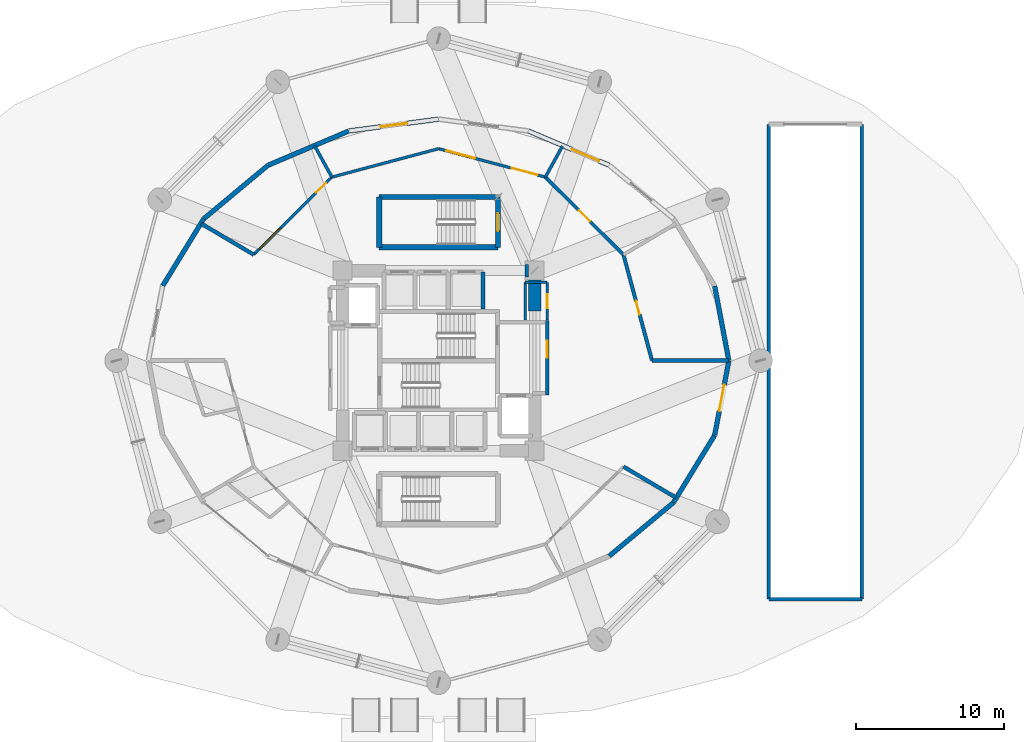
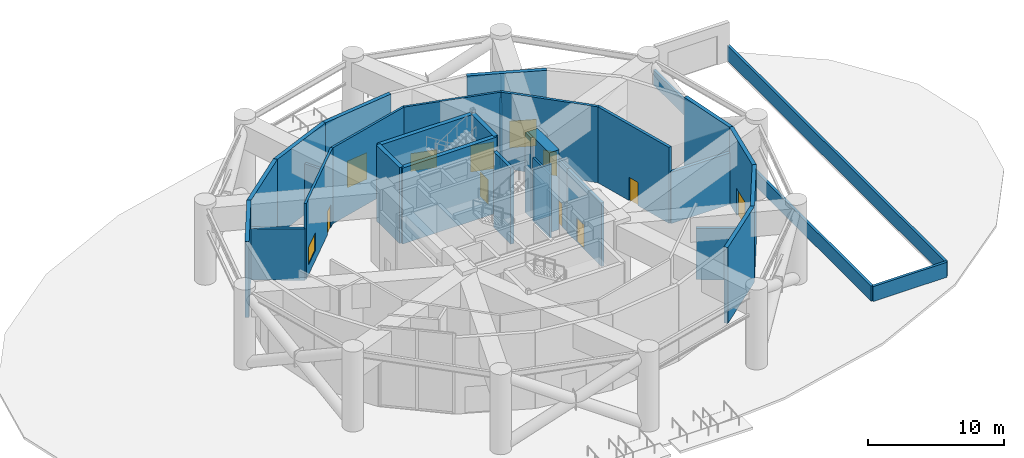
# One storey, part 11 of 16: 33 walls, 10 doors, 2 windows, 12 openings.
"""IFC4 building model written with IfcOpenShell, lengths in metres."""

from ifc_helpers import new_model, si_unit, direction, frame, frame_2d, origin, place, context, subcontext, project, spatial, rectangle, extrude, material, layer, layer_set, type_object, element, fill, save


model = new_model("IFC4")

# Units and contexts
model_context = context("Model", 3, precision=1e-05, world=origin(), true_north=direction((0.0, 1.0)))
body_context = subcontext(model_context, "Body", "Model", "MODEL_VIEW")
ifc_project = project(units=[si_unit("LENGTHUNIT", "METRE"), si_unit("AREAUNIT", "SQUARE_METRE"), si_unit("VOLUMEUNIT", "CUBIC_METRE"), si_unit("PLANEANGLEUNIT", "RADIAN"), si_unit("MASSUNIT", "GRAM", prefix="KILO")], contexts=[model_context])

# Site, building, storey
site_placement = place(None, origin())
site = spatial("IfcSite", under=ifc_project, at=site_placement, CompositionType="ELEMENT")
building_placement = place(site_placement, origin())
building = spatial("IfcBuilding", under=site, at=building_placement, Name="Solvirekh Grand Hotel", CompositionType="ELEMENT")
storey_placement = place(building_placement, origin())
storey = spatial("IfcBuildingStorey", under=building, at=storey_placement, Name="L00", CompositionType="ELEMENT", Elevation=0.0)

# Wall, opening, door
ifc_material_1 = material(Name="Concrete C50/60", Category="concrete")
ifc_layer_1 = layer(ifc_material_1, 0.35009765625)
ifc_layer_set_1 = layer_set([ifc_layer_1], Name="Concrete C50/60")
wall_type_1 = type_object("IfcWallType", Name="CoreDivWall_RC350", PredefinedType="SOLIDWALL", material=ifc_layer_set_1)
wall_1_placement = place(storey_placement, frame((4.02490234375, 7.675048828125, 0.0), z_axis=(0.0, 0.0, 1.0), x_axis=(0.0, 1.0, 0.0)))
wall_1 = element("IfcWall", 1, at=wall_1_placement, inside=storey, type_object=wall_type_1, Name="L00 feature stair ST-4 east landing wall", PredefinedType="SOLIDWALL", context=body_context, shape_type="SweptSolid", body=[
    extrude(rectangle(XDim=3.39990234375, YDim=0.35009765625, at=frame_2d((1.699951171875, 0.0))), origin(), (0.0, 0.0, 1.0), 6.840087890625),
])
opening_1_placement = place(wall_1_placement, frame((1.10009765625, 0.0, 0.0)))
opening_1 = element("IfcOpeningElement", 2, at=opening_1_placement, cuts=wall_1, Name="Opening D05", PredefinedType="OPENING", context=body_context, shape_type="SweptSolid", body=[
    extrude(rectangle(XDim=1.199951171875, YDim=2.199951171875, at=frame_2d((0.60009765625, 1.10009765625))), frame((0.0, 0.18505859375, 0.0), z_axis=(0.0, -1.0, 0.0), x_axis=(1.0, 0.0, 0.0)), (0.0, 0.0, 1.0), 0.3701171875),
])
ifc_material_2 = material(Name="Fire-Rated Steel Door Assembly", Category="steel")
door_type_1 = type_object("IfcDoorType", Name="Door_StairCore_1200X2200", OperationType="NOTDEFINED", PredefinedType="DOOR", material=ifc_material_2)
door_1_placement = place(opening_1_placement, origin())
door_1 = element("IfcDoor", 3, at=door_1_placement, inside=storey, type_object=door_type_1, Name="L00 feature stair ST-4 fire door", OperationType="SINGLE_SWING_RIGHT", OverallHeight=2.199951171875, OverallWidth=1.199951171875, PredefinedType="DOOR", context=body_context, shape_type="SweptSolid", body=[
    extrude(rectangle(XDim=1.199951171875, YDim=2.199951171875, at=frame_2d((0.60009765625, 1.10009765625))), frame((0.0, 0.02490234375, 0.0), z_axis=(0.0, -1.0, 0.0), x_axis=(1.0, 0.0, 0.0)), (0.0, 0.0, 1.0), 0.050048828125),
])
fill(opening_1, door_1)

# Walls
wall_2_placement = place(storey_placement, frame((4.02490234375, 11.074951171875, 0.0), z_axis=(0.0, 0.0, 1.0), x_axis=(-1.0, 0.0, 0.0)))
element("IfcWall", 4, at=wall_2_placement, inside=storey, type_object=wall_type_1, Name="L00 feature stair ST-4 N enclosure wall", PredefinedType="SOLIDWALL", context=body_context, shape_type="SweptSolid", body=[
    extrude(rectangle(XDim=8.0498046875, YDim=0.35009765625, at=frame_2d((4.02490234375, 0.0))), origin(), (0.0, 0.0, 1.0), 6.840087890625),
])
wall_3_placement = place(storey_placement, frame((-4.02490234375, 11.074951171875, 0.0), z_axis=(0.0, 0.0, 1.0), x_axis=(0.0, -1.0, 0.0)))
element("IfcWall", 5, at=wall_3_placement, inside=storey, type_object=wall_type_1, Name="L00 feature stair ST-4 W enclosure wall", PredefinedType="SOLIDWALL", context=body_context, shape_type="SweptSolid", body=[
    extrude(rectangle(XDim=3.39990234375, YDim=0.35009765625, at=frame_2d((1.699951171875, 0.0))), origin(), (0.0, 0.0, 1.0), 6.840087890625),
])
wall_4_placement = place(storey_placement, frame((-4.02490234375, 7.675048828125, 0.0), z_axis=(0.0, 0.0, 1.0), x_axis=(1.0, 0.0, 0.0)))
element("IfcWall", 6, at=wall_4_placement, inside=storey, type_object=wall_type_1, Name="L00 feature stair ST-4 S enclosure wall", PredefinedType="SOLIDWALL", context=body_context, shape_type="SweptSolid", body=[
    extrude(rectangle(XDim=8.0498046875, YDim=0.35009765625, at=frame_2d((4.02490234375, 0.0))), origin(), (0.0, 0.0, 1.0), 6.840087890625),
])
ifc_material_3 = material(Name="Concrete C40/50", Category="concrete")
ifc_layer_2 = layer(ifc_material_3, 0.280029296875)
ifc_layer_set_2 = layer_set([ifc_layer_2], Name="Concrete C40/50")
wall_type_2 = type_object("IfcWallType", Name="CoreShaftWall_RC280", PredefinedType="SOLIDWALL", material=ifc_layer_set_2)
wall_5_placement = place(storey_placement, frame((3.0, 3.5, 0.0), z_axis=(0.0, 0.0, 1.0), x_axis=(0.0, 1.0, 0.0)))
element("IfcWall", 7, at=wall_5_placement, inside=storey, type_object=wall_type_2, Name="L00 EX-1 hoistway E wall", PredefinedType="SOLIDWALL", context=body_context, shape_type="SweptSolid", body=[
    extrude(rectangle(XDim=2.5, YDim=0.280029296875, at=frame_2d((1.25, 0.0))), origin(), (0.0, 0.0, 1.0), 6.840087890625),
])
ifc_material_4 = material(Name="Concrete C60/75", Category="concrete")
ifc_layer_3 = layer(ifc_material_4, 0.85009765625)
ifc_layer_set_3 = layer_set([ifc_layer_3], Name="Concrete C60/75")
wall_type_3 = type_object("IfcWallType", Name="CoreWall_RC850", PredefinedType="SHEAR", material=ifc_layer_set_3)
wall_6_placement = place(storey_placement, frame((5.85009765625, 6.10009765625, 0.0), z_axis=(0.0, 0.0, 1.0), x_axis=(1.0, 0.0, 0.0)))
element("IfcWall", 8, at=wall_6_placement, inside=storey, type_object=wall_type_3, Name="L00 core corner shear wall NE-N", PredefinedType="SHEAR", context=body_context, shape_type="SweptSolid", body=[
    extrude(rectangle(XDim=0.224853515625, YDim=0.85009765625, at=frame_2d((0.1123046875, 0.0))), origin(), (0.0, 0.0, 1.0), 7.199951171875),
])
wall_7_placement = place(storey_placement, frame((6.5, 3.35009765625, 0.0), z_axis=(0.0, 0.0, 1.0), x_axis=(0.0, 1.0, 0.0)))
element("IfcWall", 9, at=wall_7_placement, inside=storey, type_object=wall_type_3, Name="L00 core corner shear wall EN-E", PredefinedType="SHEAR", context=body_context, shape_type="SweptSolid", body=[
    extrude(rectangle(XDim=3.1748046875, YDim=0.85009765625, at=frame_2d((1.58740234375, 0.0))), origin(), (0.0, 0.0, 1.0), 7.199951171875),
])
ifc_material_5 = material(Name="Precast concrete C45/55", Category="concrete")
ifc_layer_4 = layer(ifc_material_5, 0.320068359375)
ifc_layer_set_4 = layer_set([ifc_layer_4], Name="Precast concrete C45/55")
wall_type_4 = type_object("IfcWallType", Name="ExtLobbyWall_RC320", PredefinedType="SOLIDWALL", material=ifc_layer_set_4)
wall_8_placement = place(storey_placement, frame((18.68798828125, 5.052001953125, 0.0), z_axis=(0.0, 0.0, 1.0), x_axis=(0.187042300785, -0.982351860444, 0.0)))
element("IfcWall", 10, at=wall_8_placement, inside=storey, type_object=wall_type_4, Name="L00 exterior structural wall chord 1", PredefinedType="SOLIDWALL", context=body_context, shape_type="SweptSolid", body=[
    extrude(rectangle(XDim=5.142822265625, YDim=0.320068359375, at=frame_2d((2.5712890625, 0.0))), origin(), (0.0, 0.0, 1.0), 6.840087890625),
])

# Wall, opening, door
wall_9_placement = place(storey_placement, frame((6.072021484375, 15.550048828125, 0.0), z_axis=(0.0, 0.0, 1.0), x_axis=(0.920643013012, -0.390405484839, 0.0)))
wall_9 = element("IfcWall", 11, at=wall_9_placement, inside=storey, type_object=wall_type_4, Name="L00 exterior structural wall chord 4", PredefinedType="SOLIDWALL", context=body_context, shape_type="SweptSolid", body=[
    extrude(rectangle(XDim=5.9501953125, YDim=0.320068359375, at=frame_2d((2.97509765625, 0.0))), origin(), (0.0, 0.0, 1.0), 6.840087890625),
])
opening_2_placement = place(wall_9_placement, frame((3.18994140625, 0.0, 0.0)))
opening_2 = element("IfcOpeningElement", 12, at=opening_2_placement, cuts=wall_9, Name="Opening D01", PredefinedType="OPENING", context=body_context, shape_type="SweptSolid", body=[
    extrude(rectangle(XDim=2.0, YDim=2.39990234375, at=frame_2d((1.0, 1.199951171875))), frame((0.0, 0.169921875, 0.0), z_axis=(0.0, -1.0, 0.0), x_axis=(1.0, 0.0, 0.0)), (0.0, 0.0, 1.0), 0.340087890625),
])
ifc_material_6 = material(Name="Anodized Bronze Aluminium 6063-T6", Category="aluminium")
door_type_2 = type_object("IfcDoorType", Name="Door_ExtExit_2000X2400", OperationType="NOTDEFINED", PredefinedType="DOOR", material=ifc_material_6)
door_2_placement = place(opening_2_placement, origin())
door_2 = element("IfcDoor", 13, at=door_2_placement, inside=storey, type_object=door_type_2, Name="L00 North arrival hall entrance door (4)", OperationType="SINGLE_SWING_RIGHT", OverallHeight=2.39990234375, OverallWidth=2.0, PredefinedType="DOOR", context=body_context, shape_type="SweptSolid", body=[
    extrude(rectangle(XDim=2.0, YDim=2.39990234375, at=frame_2d((1.0, 1.199951171875))), frame((0.0, 0.02490234375, 0.0), z_axis=(0.0, -1.0, 0.0), x_axis=(1.0, 0.0, 0.0)), (0.0, 0.0, 1.0), 0.050048828125),
])
fill(opening_2, door_2)

wall_10_placement = place(storey_placement, frame((-6.072021484375, 15.550048828125, 0.0), z_axis=(0.0, 0.0, 1.0), x_axis=(0.991431078494, 0.130630840908, 0.0)))
wall_10 = element("IfcWall", 14, at=wall_10_placement, inside=storey, type_object=wall_type_4, Name="L00 exterior structural wall chord 6", PredefinedType="SOLIDWALL", context=body_context, shape_type="SweptSolid", body=[
    extrude(rectangle(XDim=6.12451171875, YDim=0.320068359375, at=frame_2d((3.062255859375, 0.0))), origin(), (0.0, 0.0, 1.0), 6.840087890625),
])
opening_3_placement = place(wall_10_placement, frame((2.162109375, 0.0, 0.0)))
opening_3 = element("IfcOpeningElement", 15, at=opening_3_placement, cuts=wall_10, Name="Opening D02", PredefinedType="OPENING", context=body_context, shape_type="SweptSolid", body=[
    extrude(rectangle(XDim=1.800048828125, YDim=2.39990234375, at=frame_2d((0.89990234375, 1.199951171875))), frame((0.0, 0.169921875, 0.0), z_axis=(0.0, -1.0, 0.0), x_axis=(1.0, 0.0, 0.0)), (0.0, 0.0, 1.0), 0.340087890625),
])
door_type_3 = type_object("IfcDoorType", Name="Door_ExtExit_1800X2400", OperationType="NOTDEFINED", PredefinedType="DOOR", material=ifc_material_6)
door_3_placement = place(opening_3_placement, origin())
door_3 = element("IfcDoor", 16, at=door_3_placement, inside=storey, type_object=door_type_3, Name="L00 North arrival gallery plaza exit door (6)", OperationType="SINGLE_SWING_RIGHT", OverallHeight=2.39990234375, OverallWidth=1.800048828125, PredefinedType="DOOR", context=body_context, shape_type="SweptSolid", body=[
    extrude(rectangle(XDim=1.800048828125, YDim=2.39990234375, at=frame_2d((0.89990234375, 1.199951171875))), frame((0.0, 0.02490234375, 0.0), z_axis=(0.0, -1.0, 0.0), x_axis=(1.0, 0.0, 0.0)), (0.0, 0.0, 1.0), 0.050048828125),
])
fill(opening_3, door_3)

# Walls
wall_11_placement = place(storey_placement, frame((-11.550048828125, 13.22705078125, 0.0), z_axis=(0.0, 0.0, 1.0), x_axis=(0.920643013012, 0.390405484839, 0.0)))
element("IfcWall", 17, at=wall_11_placement, inside=storey, type_object=wall_type_4, Name="L00 exterior structural wall chord 7", PredefinedType="SOLIDWALL", context=body_context, shape_type="SweptSolid", body=[
    extrude(rectangle(XDim=5.9501953125, YDim=0.320068359375, at=frame_2d((2.97509765625, 0.0))), origin(), (0.0, 0.0, 1.0), 6.840087890625),
])
wall_12_placement = place(storey_placement, frame((-15.89697265625, 9.610107421875, 0.0), z_axis=(0.0, 0.0, 1.0), x_axis=(0.768698801906, 0.639610937952, 0.0)))
element("IfcWall", 18, at=wall_12_placement, inside=storey, type_object=wall_type_4, Name="L00 exterior structural wall chord 8", PredefinedType="SOLIDWALL", context=body_context, shape_type="SweptSolid", body=[
    extrude(rectangle(XDim=5.655029296875, YDim=0.320068359375, at=frame_2d((2.82763671875, 0.0))), origin(), (0.0, 0.0, 1.0), 6.840087890625),
])
wall_13_placement = place(storey_placement, frame((-18.68798828125, 5.052001953125, 0.0), z_axis=(0.0, 0.0, 1.0), x_axis=(0.522199966643, 0.852823073585, 0.0)))
element("IfcWall", 19, at=wall_13_placement, inside=storey, type_object=wall_type_4, Name="L00 exterior structural wall chord 9", PredefinedType="SOLIDWALL", context=body_context, shape_type="SweptSolid", body=[
    extrude(rectangle(XDim=5.3447265625, YDim=0.320068359375, at=frame_2d((2.67236328125, 0.0))), origin(), (0.0, 0.0, 1.0), 6.840087890625),
])
wall_14_placement = place(storey_placement, frame((15.89697265625, -9.610107421875, 0.0), z_axis=(0.0, 0.0, 1.0), x_axis=(-0.768698801906, -0.639610937952, 0.0)))
element("IfcWall", 20, at=wall_14_placement, inside=storey, type_object=wall_type_4, Name="L00 exterior structural wall chord 18", PredefinedType="SOLIDWALL", context=body_context, shape_type="SweptSolid", body=[
    extrude(rectangle(XDim=5.655029296875, YDim=0.320068359375, at=frame_2d((2.82763671875, 0.0))), origin(), (0.0, 0.0, 1.0), 6.840087890625),
])
wall_15_placement = place(storey_placement, frame((18.68798828125, -5.052001953125, 0.0), z_axis=(0.0, 0.0, 1.0), x_axis=(-0.522199966643, -0.852823073585, 0.0)))
element("IfcWall", 21, at=wall_15_placement, inside=storey, type_object=wall_type_4, Name="L00 exterior structural wall chord 19", PredefinedType="SOLIDWALL", context=body_context, shape_type="SweptSolid", body=[
    extrude(rectangle(XDim=5.3447265625, YDim=0.320068359375, at=frame_2d((2.67236328125, 0.0))), origin(), (0.0, 0.0, 1.0), 6.840087890625),
])

# Wall, opening, door
wall_16_placement = place(storey_placement, frame((19.64990234375, 0.0, 0.0), z_axis=(0.0, 0.0, 1.0), x_axis=(-0.187042300785, -0.982351860444, 0.0)))
wall_16 = element("IfcWall", 22, at=wall_16_placement, inside=storey, type_object=wall_type_4, Name="L00 exterior structural wall chord 20", PredefinedType="SOLIDWALL", context=body_context, shape_type="SweptSolid", body=[
    extrude(rectangle(XDim=5.142822265625, YDim=0.320068359375, at=frame_2d((2.5712890625, 0.0))), origin(), (0.0, 0.0, 1.0), 6.840087890625),
])
opening_4_placement = place(wall_16_placement, frame((1.6708984375, 0.0, 0.0)))
opening_4 = element("IfcOpeningElement", 23, at=opening_4_placement, cuts=wall_16, Name="Opening D02", PredefinedType="OPENING", context=body_context, shape_type="SweptSolid", body=[
    extrude(rectangle(XDim=1.800048828125, YDim=2.39990234375, at=frame_2d((0.89990234375, 1.199951171875))), frame((0.0, 0.169921875, 0.0), z_axis=(0.0, -1.0, 0.0), x_axis=(1.0, 0.0, 0.0)), (0.0, 0.0, 1.0), 0.340087890625),
])
door_4_placement = place(opening_4_placement, origin())
door_4 = element("IfcDoor", 24, at=door_4_placement, inside=storey, type_object=door_type_3, Name="L00 East protected exit passageway final discharge door (20)", OperationType="SINGLE_SWING_LEFT", OverallHeight=2.39990234375, OverallWidth=1.800048828125, PredefinedType="DOOR", context=body_context, shape_type="SweptSolid", body=[
    extrude(rectangle(XDim=1.800048828125, YDim=2.39990234375, at=frame_2d((0.89990234375, 1.199951171875))), frame((0.0, 0.02490234375, 0.0), z_axis=(0.0, -1.0, 0.0), x_axis=(1.0, 0.0, 0.0)), (0.0, 0.0, 1.0), 0.050048828125),
])
fill(opening_4, door_4)

# Walls
ifc_layer_5 = layer(ifc_material_5, 0.219970703125)
ifc_layer_set_5 = layer_set([ifc_layer_5], Name="Precast concrete C45/55")
wall_type_5 = type_object("IfcWallType", Name="ExtParapet_RC220", PredefinedType="PARAPET", material=ifc_layer_set_5)
wall_17_placement = place(storey_placement, frame((22.35009765625, -16.14990234375, 0.0), z_axis=(0.0, 0.0, 1.0), x_axis=(0.0, 1.0, 0.0)))
element("IfcWall", 25, at=wall_17_placement, inside=storey, type_object=wall_type_5, Name="L00 vehicle ramp W plaza safety parapet", PredefinedType="PARAPET", context=body_context, shape_type="SweptSolid", body=[
    extrude(rectangle(XDim=32.14990234375, YDim=0.219970703125, at=frame_2d((16.074951171875, 0.0))), origin(), (0.0, 0.0, 1.0), 1.35009765625),
])
wall_18_placement = place(storey_placement, frame((22.35009765625, -16.14990234375, 0.0), z_axis=(0.0, 0.0, 1.0), x_axis=(1.0, 0.0, 0.0)))
element("IfcWall", 26, at=wall_18_placement, inside=storey, type_object=wall_type_5, Name="L00 vehicle ramp S plaza safety parapet", PredefinedType="PARAPET", context=body_context, shape_type="SweptSolid", body=[
    extrude(rectangle(XDim=6.2998046875, YDim=0.219970703125, at=frame_2d((3.14990234375, 0.0))), origin(), (0.0, 0.0, 1.0), 1.35009765625),
])
wall_19_placement = place(storey_placement, frame((28.64990234375, -16.14990234375, 0.0), z_axis=(0.0, 0.0, 1.0), x_axis=(0.0, 1.0, 0.0)))
element("IfcWall", 27, at=wall_19_placement, inside=storey, type_object=wall_type_5, Name="L00 vehicle ramp E plaza safety parapet", PredefinedType="PARAPET", context=body_context, shape_type="SweptSolid", body=[
    extrude(rectangle(XDim=32.14990234375, YDim=0.219970703125, at=frame_2d((16.074951171875, 0.0))), origin(), (0.0, 0.0, 1.0), 1.35009765625),
])

# Wall, opening, door
ifc_material_7 = material(Name="Acoustic Gypsum Partition Assembly")
ifc_layer_6 = layer(ifc_material_7, 0.1650390625)
ifc_layer_set_6 = layer_set([ifc_layer_6], Name="Acoustic Gypsum Partition Assembly")
wall_type_6 = type_object("IfcWallType", Name="Part_BOH_165", PredefinedType="PARTITIONING", material=ifc_layer_set_6)
wall_20_placement = place(storey_placement, frame((7.35009765625, 2.75, 0.0), z_axis=(0.0, 0.0, 1.0), x_axis=(0.0, 1.0, 0.0)))
wall_20 = element("IfcWall", 28, at=wall_20_placement, inside=storey, type_object=wall_type_6, Name="L00 L00 Core Housekeeping & Linen Room wall 2", PredefinedType="PARTITIONING", context=body_context, shape_type="SweptSolid", body=[
    extrude(rectangle(XDim=2.550048828125, YDim=0.1650390625, at=frame_2d((1.27490234375, 0.0))), origin(), (0.0, 0.0, 1.0), 5.72509765625),
])
opening_5_placement = place(wall_20_placement, frame((0.800048828125, 0.0, 0.0)))
opening_5 = element("IfcOpeningElement", 29, at=opening_5_placement, cuts=wall_20, Name="Opening D10", PredefinedType="OPENING", context=body_context, shape_type="SweptSolid", body=[
    extrude(rectangle(XDim=0.949951171875, YDim=2.10009765625, at=frame_2d((0.47509765625, 1.050048828125))), frame((0.0, 0.092529296875, 0.0), z_axis=(0.0, -1.0, 0.0), x_axis=(1.0, 0.0, 0.0)), (0.0, 0.0, 1.0), 0.18505859375),
])
door_type_4 = type_object("IfcDoorType", Name="Door_RoomInt_950X2100", OperationType="NOTDEFINED", PredefinedType="DOOR", material=ifc_material_6)
door_5_placement = place(opening_5_placement, origin())
door_5 = element("IfcDoor", 30, at=door_5_placement, inside=storey, type_object=door_type_4, Name="L00 L00 Core Housekeeping & Linen Room door", OperationType="SINGLE_SWING_RIGHT", OverallHeight=2.10009765625, OverallWidth=0.949951171875, PredefinedType="DOOR", context=body_context, shape_type="SweptSolid", body=[
    extrude(rectangle(XDim=0.949951171875, YDim=2.10009765625, at=frame_2d((0.47509765625, 1.050048828125))), frame((0.0, 0.02490234375, 0.0), z_axis=(0.0, -1.0, 0.0), x_axis=(1.0, 0.0, 0.0)), (0.0, 0.0, 1.0), 0.050048828125),
])
fill(opening_5, door_5)

# Walls
wall_21_placement = place(storey_placement, frame((7.35009765625, 5.300048828125, 0.0), z_axis=(0.0, 0.0, 1.0), x_axis=(-1.0, 0.0, 0.0)))
element("IfcWall", 31, at=wall_21_placement, inside=storey, type_object=wall_type_6, Name="L00 L00 Core Housekeeping & Linen Room wall 3", PredefinedType="PARTITIONING", context=body_context, shape_type="SweptSolid", body=[
    extrude(rectangle(XDim=1.5, YDim=0.1650390625, at=frame_2d((0.75, 0.0))), origin(), (0.0, 0.0, 1.0), 4.625),
])
wall_22_placement = place(storey_placement, frame((5.85009765625, 5.300048828125, 0.0), z_axis=(0.0, 0.0, 1.0), x_axis=(0.0, -1.0, 0.0)))
element("IfcWall", 32, at=wall_22_placement, inside=storey, type_object=wall_type_6, Name="L00 L00 Core Housekeeping & Linen Room wall 4", PredefinedType="PARTITIONING", context=body_context, shape_type="SweptSolid", body=[
    extrude(rectangle(XDim=2.550048828125, YDim=0.1650390625, at=frame_2d((1.27490234375, 0.0))), origin(), (0.0, 0.0, 1.0), 5.72509765625),
])

# Wall, opening, door
ifc_layer_7 = layer(ifc_material_7, 0.239990234375)
ifc_layer_set_7 = layer_set([ifc_layer_7], Name="Acoustic Gypsum Partition Assembly")
wall_type_7 = type_object("IfcWallType", Name="Part_Corridor_240", PredefinedType="PARTITIONING", material=ifc_layer_set_7)
wall_23_placement = place(storey_placement, frame((7.35009765625, -2.340087890625, 0.0), z_axis=(0.0, 0.0, 1.0), x_axis=(0.0, 1.0, 0.0)))
wall_23 = element("IfcWall", 33, at=wall_23_placement, inside=storey, type_object=wall_type_7, Name="L00 east firefighting lobby smoke screen wall", PredefinedType="PARTITIONING", context=body_context, shape_type="SweptSolid", body=[
    extrude(rectangle(XDim=5.070068359375, YDim=0.239990234375, at=frame_2d((2.53515625, 0.0))), origin(), (0.0, 0.0, 1.0), 5.72509765625),
])
opening_6_placement = place(wall_23_placement, frame((2.548095703125, 0.0, 0.0)))
opening_6 = element("IfcOpeningElement", 34, at=opening_6_placement, cuts=wall_23, Name="Opening D06", PredefinedType="OPENING", context=body_context, shape_type="SweptSolid", body=[
    extrude(rectangle(XDim=1.14990234375, YDim=2.199951171875, at=frame_2d((0.574951171875, 1.10009765625))), frame((0.0, 0.1298828125, 0.0), z_axis=(0.0, -1.0, 0.0), x_axis=(1.0, 0.0, 0.0)), (0.0, 0.0, 1.0), 0.260009765625),
])
door_type_5 = type_object("IfcDoorType", Name="Door_FFLobby_1150X2200", OperationType="NOTDEFINED", PredefinedType="DOOR", material=ifc_material_2)
door_6_placement = place(opening_6_placement, origin())
door_6 = element("IfcDoor", 35, at=door_6_placement, inside=storey, type_object=door_type_5, Name="L00 east firefighting lobby smoke door", OperationType="SINGLE_SWING_RIGHT", OverallHeight=2.199951171875, OverallWidth=1.14990234375, PredefinedType="DOOR", context=body_context, shape_type="SweptSolid", body=[
    extrude(rectangle(XDim=1.14990234375, YDim=2.199951171875, at=frame_2d((0.574951171875, 1.10009765625))), frame((0.0, 0.02490234375, 0.0), z_axis=(0.0, -1.0, 0.0), x_axis=(1.0, 0.0, 0.0)), (0.0, 0.0, 1.0), 0.050048828125),
])
fill(opening_6, door_6)

wall_24_placement = place(storey_placement, frame((14.449951171875, 0.0, 0.0), z_axis=(0.0, 0.0, 1.0), x_axis=(-0.260511833978, 0.965470654322, 0.0)))
wall_24 = element("IfcWall", 36, at=wall_24_placement, inside=storey, type_object=wall_type_7, Name="L00 Hotel Security & Dispatch Office corridor wall", PredefinedType="PARTITIONING", context=body_context, shape_type="SweptSolid", body=[
    extrude(rectangle(XDim=7.431640625, YDim=0.239990234375, at=frame_2d((3.7158203125, 0.0))), origin(), (0.0, 0.0, 1.0), 6.840087890625),
])
opening_7_placement = place(wall_24_placement, frame((3.240966796875, 0.0, 0.0)))
opening_7 = element("IfcOpeningElement", 37, at=opening_7_placement, cuts=wall_24, Name="Opening D10", PredefinedType="OPENING", context=body_context, shape_type="SweptSolid", body=[
    extrude(rectangle(XDim=0.949951171875, YDim=2.10009765625, at=frame_2d((0.47509765625, 1.050048828125))), frame((0.0, 0.1298828125, 0.0), z_axis=(0.0, -1.0, 0.0), x_axis=(1.0, 0.0, 0.0)), (0.0, 0.0, 1.0), 0.260009765625),
])
door_7_placement = place(opening_7_placement, origin())
door_7 = element("IfcDoor", 38, at=door_7_placement, inside=storey, type_object=door_type_4, Name="L00 Hotel Security & Dispatch Office entrance door", OperationType="SINGLE_SWING_LEFT", OverallHeight=2.10009765625, OverallWidth=0.949951171875, PredefinedType="DOOR", context=body_context, shape_type="SweptSolid", body=[
    extrude(rectangle(XDim=0.949951171875, YDim=2.10009765625, at=frame_2d((0.47509765625, 1.050048828125))), frame((0.0, 0.02490234375, 0.0), z_axis=(0.0, -1.0, 0.0), x_axis=(1.0, 0.0, 0.0)), (0.0, 0.0, 1.0), 0.050048828125),
])
fill(opening_7, door_7)

# Wall, openings, door, window
ifc_layer_8 = layer(ifc_material_7, 0.18994140625)
ifc_layer_set_8 = layer_set([ifc_layer_8], Name="Acoustic Gypsum Partition Assembly")
wall_type_8 = type_object("IfcWallType", Name="Part_GuestDemise_190", PredefinedType="PARTITIONING", material=ifc_layer_set_8)
wall_25_placement = place(storey_placement, frame((7.22509765625, 12.427001953125, 0.0), z_axis=(0.0, 0.0, 1.0), x_axis=(-0.966354610728, 0.25721346451, 0.0)))
wall_25 = element("IfcWall", 39, at=wall_25_placement, inside=storey, type_object=wall_type_8, Name="L00 North Porte-Cochere Arrival Hall corridor wall", PredefinedType="PARTITIONING", context=body_context, shape_type="SweptSolid", body=[
    extrude(rectangle(XDim=7.4765625, YDim=0.18994140625, at=frame_2d((3.73828125, 0.0))), origin(), (0.0, 0.0, 1.0), 6.840087890625),
])
opening_8_placement = place(wall_25_placement, frame((0.550048828125, 0.0, 0.0)))
opening_8 = element("IfcOpeningElement", 40, at=opening_8_placement, cuts=wall_25, Name="Opening D11", PredefinedType="OPENING", context=body_context, shape_type="SweptSolid", body=[
    extrude(rectangle(XDim=1.800048828125, YDim=2.39990234375, at=frame_2d((0.89990234375, 1.199951171875))), frame((0.0, 0.10498046875, 0.0), z_axis=(0.0, -1.0, 0.0), x_axis=(1.0, 0.0, 0.0)), (0.0, 0.0, 1.0), 0.2099609375),
])
opening_9_placement = place(wall_25_placement, frame((4.927001953125, 0.0, 0.89990234375)))
opening_9 = element("IfcOpeningElement", 41, at=opening_9_placement, cuts=wall_25, Name="Opening W03", PredefinedType="OPENING", context=body_context, shape_type="SweptSolid", body=[
    extrude(rectangle(XDim=2.0, YDim=1.60009765625, at=frame_2d((1.0, 0.800048828125))), frame((0.0, 0.10498046875, 0.0), z_axis=(0.0, -1.0, 0.0), x_axis=(1.0, 0.0, 0.0)), (0.0, 0.0, 1.0), 0.2099609375),
])
door_type_6 = type_object("IfcDoorType", Name="Door_Ballroom_1800X2400", OperationType="NOTDEFINED", PredefinedType="DOOR", material=ifc_material_2)
door_8_placement = place(opening_8_placement, origin())
door_8 = element("IfcDoor", 42, at=door_8_placement, inside=storey, type_object=door_type_6, Name="L00 North Porte-Cochere Arrival Hall entrance door", OperationType="SINGLE_SWING_LEFT", OverallHeight=2.39990234375, OverallWidth=1.800048828125, PredefinedType="DOOR", context=body_context, shape_type="SweptSolid", body=[
    extrude(rectangle(XDim=1.800048828125, YDim=2.39990234375, at=frame_2d((0.89990234375, 1.199951171875))), frame((0.0, 0.02490234375, 0.0), z_axis=(0.0, -1.0, 0.0), x_axis=(1.0, 0.0, 0.0)), (0.0, 0.0, 1.0), 0.050048828125),
])
fill(opening_8, door_8)
ifc_material_8 = material(Name="Fire-Rated Ceramic Glazing", Category="glass")
window_type = type_object("IfcWindowType", Name="Win_FoyerInt_2000X1600", PartitioningType="SINGLE_PANEL", PredefinedType="WINDOW", material=ifc_material_8)
window_1_placement = place(opening_9_placement, origin())
window_1 = element("IfcWindow", 43, at=window_1_placement, inside=storey, type_object=window_type, Name="L00 North Porte-Cochere Arrival Hall interior glazed screen", OverallHeight=1.60009765625, OverallWidth=2.0, PartitioningType="SINGLE_PANEL", PredefinedType="WINDOW", context=body_context, shape_type="SweptSolid", body=[
    extrude(rectangle(XDim=2.0, YDim=1.60009765625, at=frame_2d((1.0, 0.800048828125))), frame((0.0, 0.030029296875, 0.0), z_axis=(0.0, -1.0, 0.0), x_axis=(1.0, 0.0, 0.0)), (0.0, 0.0, 1.0), 0.06005859375),
])
fill(opening_9, window_1)

# Wall
wall_26_placement = place(storey_placement, frame((0.0, 14.35009765625, 0.0), z_axis=(0.0, 0.0, 1.0), x_axis=(-0.966354610728, -0.25721346451, 0.0)))
element("IfcWall", 44, at=wall_26_placement, inside=storey, type_object=wall_type_8, Name="L00 North Porte-Cochere Arrival Hall corridor wall 2", PredefinedType="PARTITIONING", context=body_context, shape_type="SweptSolid", body=[
    extrude(rectangle(XDim=7.4765625, YDim=0.18994140625, at=frame_2d((3.73828125, 0.0))), origin(), (0.0, 0.0, 1.0), 6.840087890625),
])

# Wall, openings, door, window
wall_27_placement = place(storey_placement, frame((-7.22509765625, 12.427001953125, 0.0), z_axis=(0.0, 0.0, 1.0), x_axis=(-0.709575472763, -0.704629440524, 0.0)))
wall_27 = element("IfcWall", 45, at=wall_27_placement, inside=storey, type_object=wall_type_8, Name="L00 Concierge & Bell Luggage Salon corridor wall", PredefinedType="PARTITIONING", context=body_context, shape_type="SweptSolid", body=[
    extrude(rectangle(XDim=7.45361328125, YDim=0.18994140625, at=frame_2d((3.726806640625, 0.0))), origin(), (0.0, 0.0, 1.0), 6.840087890625),
])
opening_10_placement = place(wall_27_placement, frame((0.550048828125, 0.0, 0.0)))
opening_10 = element("IfcOpeningElement", 46, at=opening_10_placement, cuts=wall_27, Name="Opening D10", PredefinedType="OPENING", context=body_context, shape_type="SweptSolid", body=[
    extrude(rectangle(XDim=0.949951171875, YDim=2.10009765625, at=frame_2d((0.47509765625, 1.050048828125))), frame((0.0, 0.10498046875, 0.0), z_axis=(0.0, -1.0, 0.0), x_axis=(1.0, 0.0, 0.0)), (0.0, 0.0, 1.0), 0.2099609375),
])
opening_11_placement = place(wall_27_placement, frame((4.904052734375, 0.0, 0.89990234375)))
opening_11 = element("IfcOpeningElement", 47, at=opening_11_placement, cuts=wall_27, Name="Opening W03", PredefinedType="OPENING", context=body_context, shape_type="SweptSolid", body=[
    extrude(rectangle(XDim=2.0, YDim=1.60009765625, at=frame_2d((1.0, 0.800048828125))), frame((0.0, 0.10498046875, 0.0), z_axis=(0.0, -1.0, 0.0), x_axis=(1.0, 0.0, 0.0)), (0.0, 0.0, 1.0), 0.2099609375),
])
door_9_placement = place(opening_10_placement, origin())
door_9 = element("IfcDoor", 48, at=door_9_placement, inside=storey, type_object=door_type_4, Name="L00 Concierge & Bell Luggage Salon entrance door", OperationType="SINGLE_SWING_RIGHT", OverallHeight=2.10009765625, OverallWidth=0.949951171875, PredefinedType="DOOR", context=body_context, shape_type="SweptSolid", body=[
    extrude(rectangle(XDim=0.949951171875, YDim=2.10009765625, at=frame_2d((0.47509765625, 1.050048828125))), frame((0.0, 0.02490234375, 0.0), z_axis=(0.0, -1.0, 0.0), x_axis=(1.0, 0.0, 0.0)), (0.0, 0.0, 1.0), 0.050048828125),
])
fill(opening_10, door_9)
window_2_placement = place(opening_11_placement, origin())
window_2 = element("IfcWindow", 49, at=window_2_placement, inside=storey, type_object=window_type, Name="L00 Concierge & Bell Luggage Salon interior glazed screen", OverallHeight=1.60009765625, OverallWidth=2.0, PartitioningType="SINGLE_PANEL", PredefinedType="WINDOW", context=body_context, shape_type="SweptSolid", body=[
    extrude(rectangle(XDim=2.0, YDim=1.60009765625, at=frame_2d((1.0, 0.800048828125))), frame((0.0, 0.030029296875, 0.0), z_axis=(0.0, -1.0, 0.0), x_axis=(1.0, 0.0, 0.0)), (0.0, 0.0, 1.0), 0.06005859375),
])
fill(opening_11, window_2)

# Walls
ifc_layer_9 = layer(ifc_material_7, 0.260009765625)
ifc_layer_set_9 = layer_set([ifc_layer_9], Name="Acoustic Gypsum Partition Assembly")
wall_type_9 = type_object("IfcWallType", Name="Part_LobbyFF_260", PredefinedType="PARTITIONING", material=ifc_layer_set_9)
wall_28_placement = place(storey_placement, frame((14.449951171875, 0.0, 0.0), z_axis=(0.0, 0.0, 1.0), x_axis=(1.0, 0.0, 0.0)))
element("IfcWall", 50, at=wall_28_placement, inside=storey, type_object=wall_type_9, Name="L00 radial demising wall 1", PredefinedType="PARTITIONING", context=body_context, shape_type="SweptSolid", body=[
    extrude(rectangle(XDim=5.16015625, YDim=0.260009765625, at=frame_2d((2.580078125, 0.0))), origin(), (0.0, 0.0, 1.0), 4.625),
])
for number, where, z_axis, x_axis, name in (
    (51, (-12.513916015625, 7.175048828125, 0.0), (0.0, 0.0, 1.0), (-0.860750596586, 0.509026925101, 0.0), "L00 radial demising wall 6"),
    (52, (12.513916015625, -7.175048828125, 0.0), (0.0, 0.0, 1.0), (0.860750596586, -0.509026925101, 0.0), "L00 radial demising wall 12"),
):
    element("IfcWall", number, at=place(storey_placement, frame(where, z_axis=z_axis, x_axis=x_axis)), inside=storey, type_object=wall_type_9, Name=name, PredefinedType="PARTITIONING", context=body_context, shape_type="SweptSolid", body=[
        extrude(rectangle(XDim=4.11767578125, YDim=0.260009765625, at=frame_2d((2.058837890625, 0.0))), origin(), (0.0, 0.0, 1.0), 4.625),
    ])

# Wall, opening, door
ifc_layer_10 = layer(ifc_material_5, 0.22509765625)
ifc_layer_set_10 = layer_set([ifc_layer_10], Name="Precast concrete C45/55")
wall_type_10 = type_object("IfcWallType", Name="Part_Plant_225", PredefinedType="PARTITIONING", material=ifc_layer_set_10)
wall_29_placement = place(storey_placement, frame((12.513916015625, 7.175048828125, 0.0), z_axis=(0.0, 0.0, 1.0), x_axis=(-0.709575472763, 0.704629440524, 0.0)))
wall_29 = element("IfcWall", 53, at=wall_29_placement, inside=storey, type_object=wall_type_10, Name="L00 Fire Command Room corridor wall", PredefinedType="PARTITIONING", context=body_context, shape_type="SweptSolid", body=[
    extrude(rectangle(XDim=7.45361328125, YDim=0.22509765625, at=frame_2d((3.726806640625, 0.0))), origin(), (0.0, 0.0, 1.0), 6.840087890625),
])
opening_12_placement = place(wall_29_placement, frame((3.201904296875, 0.0, 0.0)))
opening_12 = element("IfcOpeningElement", 54, at=opening_12_placement, cuts=wall_29, Name="Opening D12", PredefinedType="OPENING", context=body_context, shape_type="SweptSolid", body=[
    extrude(rectangle(XDim=1.050048828125, YDim=2.14990234375, at=frame_2d((0.52490234375, 1.074951171875))), frame((0.0, 0.12255859375, 0.0), z_axis=(0.0, -1.0, 0.0), x_axis=(1.0, 0.0, 0.0)), (0.0, 0.0, 1.0), 0.2451171875),
])
door_type_7 = type_object("IfcDoorType", Name="Door_PlantBOH_1050X2150", OperationType="NOTDEFINED", PredefinedType="DOOR", material=ifc_material_2)
door_10_placement = place(opening_12_placement, origin())
door_10 = element("IfcDoor", 55, at=door_10_placement, inside=storey, type_object=door_type_7, Name="L00 Fire Command Room entrance door", OperationType="SINGLE_SWING_RIGHT", OverallHeight=2.14990234375, OverallWidth=1.050048828125, PredefinedType="DOOR", context=body_context, shape_type="SweptSolid", body=[
    extrude(rectangle(XDim=1.050048828125, YDim=2.14990234375, at=frame_2d((0.52490234375, 1.074951171875))), frame((0.0, 0.02490234375, 0.0), z_axis=(0.0, -1.0, 0.0), x_axis=(1.0, 0.0, 0.0)), (0.0, 0.0, 1.0), 0.050048828125),
])
fill(opening_12, door_10)

# Walls
ifc_layer_11 = layer(ifc_material_7, 0.2099609375)
ifc_layer_set_11 = layer_set([ifc_layer_11], Name="Acoustic Gypsum Partition Assembly")
wall_type_11 = type_object("IfcWallType", Name="Part_SuiteDemise_210", PredefinedType="PARTITIONING", material=ifc_layer_set_11)
for number, where, z_axis, x_axis, name in (
    (56, (7.22509765625, 12.427001953125, 0.0), (0.0, 0.0, 1.0), (0.484172522816, 0.874972552798, 0.0), "L00 radial demising wall 3"),
    (57, (-7.22509765625, 12.427001953125, 0.0), (0.0, 0.0, 1.0), (-0.484172522816, 0.874972552798, 0.0), "L00 radial demising wall 5"),
):
    element("IfcWall", number, at=place(storey_placement, frame(where, z_axis=z_axis, x_axis=x_axis)), inside=storey, type_object=wall_type_11, Name=name, PredefinedType="PARTITIONING", context=body_context, shape_type="SweptSolid", body=[
        extrude(rectangle(XDim=2.397705078125, YDim=0.2099609375, at=frame_2d((1.19873046875, 0.0))), origin(), (0.0, 0.0, 1.0), 4.625),
    ])

save(model, "model.ifc")
